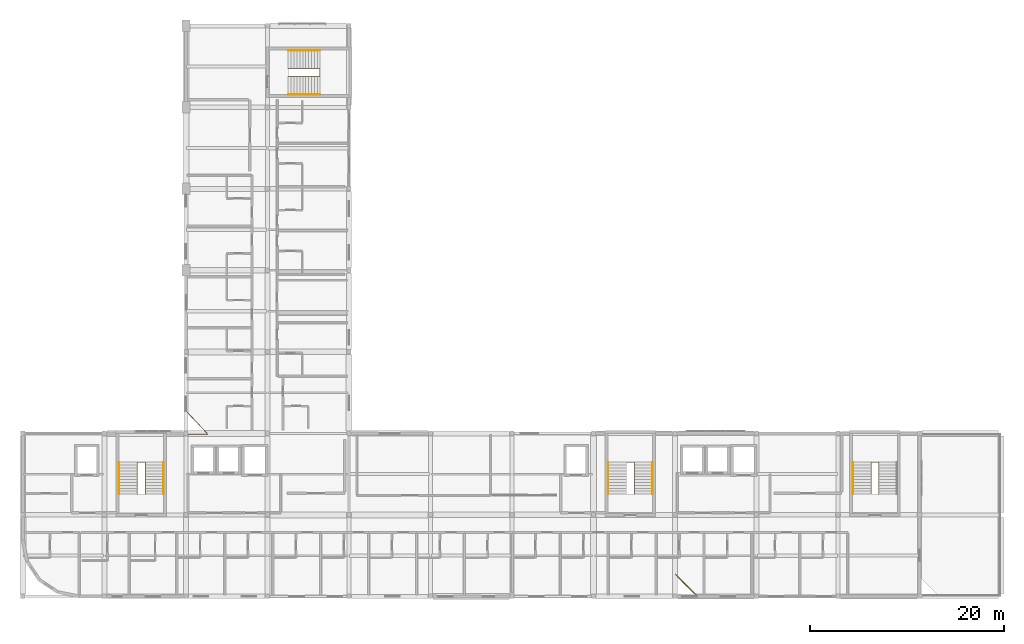
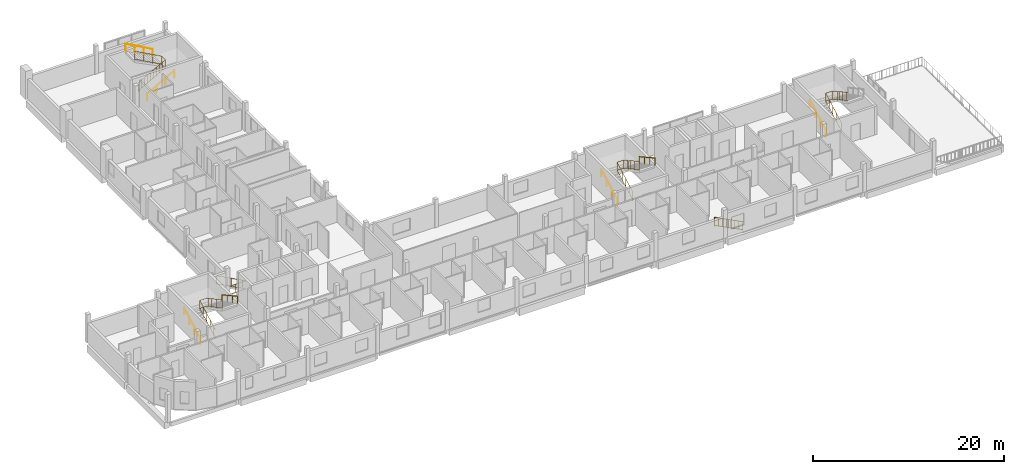
# One storey, part 18 of 19: 13 railings.
"""IFC4 building model written with IfcOpenShell, lengths in metres."""

import ifcopenshell
import ifcopenshell.guid

model = None  # the IFC model being written
_history = None  # IfcOwnerHistory: only IFC2X3 demands one
_inside = {}  # id of a spatial element -> (the spatial element, [elements in it])
_under = {}  # id of a project, library or spatial element -> (it, [spatial elements below it])
_declared = {}  # id of a project -> (the project, [libraries it declares])
_typed = {}  # id of a type object -> (the type object, [elements of that type])
_made_of = {}  # id of a material, layer set ... -> (it, [elements and type objects made of it])


def new_model(schema):
    """Start an empty IFC model of exactly this schema.

    Asked for "IFC4X3", IfcOpenShell would pick the latest addendum, in which some entities
    have other attributes; the version numbers below select the first issue.
    IFC2X3 requires an IfcOwnerHistory on every rooted entity: one is made here for all.
    """
    global model, _history
    if schema == "IFC4X3":
        model = ifcopenshell.file(schema_version=(4, 3, 0, 0))
    else:
        model = ifcopenshell.file(schema=schema)
    _inside.clear()
    _under.clear()
    _declared.clear()
    _typed.clear()
    _made_of.clear()
    _history = None
    if model.schema == "IFC2X3":
        org = make("IfcOrganization", Name="unknown")
        user = make(
            "IfcPersonAndOrganization",
            ThePerson=make("IfcPerson", FamilyName="unknown"),
            TheOrganization=org,
        )
        app = make(
            "IfcApplication",
            ApplicationDeveloper=org,
            Version="unknown",
            ApplicationFullName="unknown",
            ApplicationIdentifier="unknown",
        )
        _history = make(
            "IfcOwnerHistory",
            OwningUser=user,
            OwningApplication=app,
            ChangeAction="ADDED",
            CreationDate=0,
        )
    return model


def make(cls, **values):
    """One entity of the class cls with the attributes given. An attribute that is None is left unset."""
    return model.create_entity(
        cls, **{name: value for name, value in values.items() if value is not None}
    )


def rooted(cls, **values):
    """An entity with a GlobalId (a new one), such as an element, a storey or a relation."""
    return make(cls, GlobalId=ifcopenshell.guid.new(), OwnerHistory=_history, **values)


def si_unit(unit_type, name, prefix=None):
    """IfcSIUnit, for example si_unit("LENGTHUNIT", "METRE", prefix="MILLI")."""
    return make("IfcSIUnit", UnitType=unit_type, Prefix=prefix, Name=name)


def derived_unit(unit_type, elements):
    """IfcDerivedUnit: a product of units, each with its exponent."""
    return make(
        "IfcDerivedUnit",
        Elements=[
            make("IfcDerivedUnitElement", Unit=unit, Exponent=power)
            for unit, power in elements
        ],
        UnitType=unit_type,
    )


def assignment(units):
    """IfcUnitAssignment: the units of a project."""
    return None if units is None else make("IfcUnitAssignment", Units=units)


def point(xyz):
    """IfcCartesianPoint."""
    return None if xyz is None else make("IfcCartesianPoint", Coordinates=xyz)


def direction(xyz):
    """IfcDirection."""
    return None if xyz is None else make("IfcDirection", DirectionRatios=xyz)


def frame(location, z_axis=None, x_axis=None):
    """IfcAxis2Placement3D, a coordinate frame: its origin and axes. An axis left out is left unset."""
    return make(
        "IfcAxis2Placement3D",
        Location=point(location),
        Axis=direction(z_axis),
        RefDirection=direction(x_axis),
    )


def frame_2d(location, x_axis=None):
    """IfcAxis2Placement2D, a coordinate frame in the plane: its origin and x axis."""
    return make(
        "IfcAxis2Placement2D", Location=point(location), RefDirection=direction(x_axis)
    )


def origin():
    """The frame at (0, 0, 0) with its axes left unset."""
    return frame((0.0, 0.0, 0.0))


def origin_2d():
    """The frame at (0, 0) in the plane with its x axis left unset."""
    return frame_2d((0.0, 0.0))


def place(relative_to, where):
    """IfcLocalPlacement: puts the frame where relative to a parent placement (None: the world)."""
    return make(
        "IfcLocalPlacement", PlacementRelTo=relative_to, RelativePlacement=where
    )


def context(
    kind, dimensions, precision=None, world=None, true_north=None, identifier=None
):
    """IfcGeometricRepresentationContext, for example the 3D "Model" context."""
    return make(
        "IfcGeometricRepresentationContext",
        ContextIdentifier=identifier,
        ContextType=kind,
        CoordinateSpaceDimension=dimensions,
        Precision=precision,
        WorldCoordinateSystem=world,
        TrueNorth=true_north,
    )


def subcontext(parent, identifier, kind, view, scale=None):
    """IfcGeometricRepresentationSubContext, for example "Body" below "Model"."""
    return make(
        "IfcGeometricRepresentationSubContext",
        ContextIdentifier=identifier,
        ContextType=kind,
        ParentContext=parent,
        TargetScale=scale,
        TargetView=view,
    )


def project(units=None, contexts=None):
    """IfcProject with its units and contexts."""
    return rooted(
        "IfcProject",
        Name="project",
        RepresentationContexts=contexts,
        UnitsInContext=assignment(units),
    )


def spatial(cls, under=None, at=None, **own):
    """A site, building, storey or space (cls), placed at a placement, below another one or the project."""
    s = rooted(cls, ObjectPlacement=at, **own)
    if under is not None:
        _under.setdefault(under.id(), (under, []))[1].append(s)
    return s


def profile(cls, at=None, kind="AREA", **sizes):
    """A parametric profile (cls). Its sizes go by their IFC names, for example OverallWidth=200.0."""
    return make(cls, ProfileType=kind, Position=at, **sizes)


def circle(**sizes):
    """IfcCircleProfileDef."""
    return profile("IfcCircleProfileDef", **sizes)


def extrude(swept, where, along, depth):
    """IfcExtrudedAreaSolid: the profile swept, set in the frame where, extruded along a direction by depth."""
    return make(
        "IfcExtrudedAreaSolid",
        SweptArea=swept,
        Position=where,
        ExtrudedDirection=direction(along),
        Depth=depth,
    )


def shape(context_of_items, identifier, shape_type, items):
    """IfcShapeRepresentation: the items that make up one representation, for example the "Body"."""
    return make(
        "IfcShapeRepresentation",
        ContextOfItems=context_of_items,
        RepresentationIdentifier=identifier,
        RepresentationType=shape_type,
        Items=items,
    )


def material(Name=None, Category=None):
    """IfcMaterial."""
    return make("IfcMaterial", Name=Name, Category=Category)


def layer(
    of_material, thickness, ventilated=None, Name=None, Category=None, Priority=None
):
    """IfcMaterialLayer: one layer of a wall or slab, of a material (None: an air gap)."""
    return make(
        "IfcMaterialLayer",
        Material=of_material,
        LayerThickness=thickness,
        IsVentilated=ventilated,
        Name=Name,
        Category=Category,
        Priority=Priority,
    )


def layer_set(layers, Name=None):
    """IfcMaterialLayerSet."""
    return make("IfcMaterialLayerSet", MaterialLayers=layers, LayerSetName=Name)


def made_of(thing, what):
    """Note that an element or type object is made of a material, layer set ...; save() writes the relation."""
    if what is not None:
        _made_of.setdefault(what.id(), (what, []))[1].append(thing)
    return thing


def type_object(cls, material=None, **own):
    """A type object (cls), such as IfcWallType, which elements share."""
    return made_of(rooted(cls, **own), material)


def element(
    cls,
    number,
    at=None,
    inside=None,
    cuts=None,
    type_object=None,
    material=None,
    context=None,
    identifier="Body",
    shape_type=None,
    held_by="IfcProductDefinitionShape",
    body=None,
    shapes=None,
    **own,
):
    """One element of the class cls, such as IfcWall. Its Tag is "e" and its number.

    at: its placement. inside: the storey or other place that contains it. cuts: it is an
    opening in that element (IfcRelVoidsElement). A single representation is given by context,
    identifier, shape_type and body (its items); several are given by shapes. held_by: the class
    of the entity that holds the representations. save() writes the other relations.
    """
    e = rooted(cls, Tag="e%d" % number, ObjectPlacement=at, **own)
    if body is not None:
        shapes = [shape(context, identifier, shape_type, body)]
    if shapes is not None:
        e.Representation = make(held_by, Representations=shapes)
    if inside is not None:
        _inside.setdefault(inside.id(), (inside, []))[1].append(e)
    if cuts is not None:
        rooted(
            "IfcRelVoidsElement", RelatingBuildingElement=cuts, RelatedOpeningElement=e
        )
    if type_object is not None:
        _typed.setdefault(type_object.id(), (type_object, []))[1].append(e)
    return made_of(e, material)


def aggregate(whole, parts):
    """IfcRelAggregates: a whole, such as a stair, and the parts it consists of."""
    return rooted("IfcRelAggregates", RelatingObject=whole, RelatedObjects=parts)


def save(model, path):
    """Write the relations noted so far, then the file.

    IfcRelAggregates (storeys below a building ...), IfcRelContainedInSpatialStructure (elements
    in a storey), IfcRelDefinesByType, IfcRelAssociatesMaterial and IfcRelDeclares: one each for
    every whole, place, type object, material and project.
    """
    for whole, parts in _under.values():
        aggregate(whole, parts)
    for where, things in _inside.values():
        rooted(
            "IfcRelContainedInSpatialStructure",
            RelatedElements=things,
            RelatingStructure=where,
        )
    for kind, things in _typed.values():
        rooted("IfcRelDefinesByType", RelatedObjects=things, RelatingType=kind)
    for what, things in _made_of.values():
        rooted("IfcRelAssociatesMaterial", RelatedObjects=things, RelatingMaterial=what)
    for by, libraries in _declared.values():
        rooted("IfcRelDeclares", RelatingContext=by, RelatedDefinitions=libraries)
    model.write(path)


model = new_model("IFC4")

# Units and contexts
model_context = context("Model", 3, precision=1e-05, world=origin(), true_north=direction((0.0, 1.0)))
body_context = subcontext(model_context, "Body", "Model", "MODEL_VIEW")
ifc_project = project(units=[si_unit("LENGTHUNIT", "METRE"), si_unit("AREAUNIT", "SQUARE_METRE"), si_unit("VOLUMEUNIT", "CUBIC_METRE"), si_unit("PLANEANGLEUNIT", "RADIAN"), si_unit("MASSUNIT", "GRAM", prefix="KILO"), derived_unit("THERMALTRANSMITTANCEUNIT", [(si_unit("POWERUNIT", "WATT"), 1), (si_unit("LENGTHUNIT", "METRE"), -2), (si_unit("THERMODYNAMICTEMPERATUREUNIT", "KELVIN"), -1)])], contexts=[model_context])

# Site, building, storey
site_placement = place(None, origin())
site = spatial("IfcSite", under=ifc_project, at=site_placement, CompositionType="ELEMENT")
building_placement = place(site_placement, origin())
building = spatial("IfcBuilding", under=site, at=building_placement, Name="Barrovel Congress Hotel", CompositionType="ELEMENT")
storey_placement = place(building_placement, frame((0.0, 0.0, 43.5)))
storey = spatial("IfcBuildingStorey", under=building, at=storey_placement, Name="L11", CompositionType="ELEMENT", Elevation=43.5)

# Railings
ifc_material_1 = material(Name="Painted Architectural Steel", Category="steel")
ifc_layer_1 = layer(ifc_material_1, 0.070068359375)
ifc_layer_set_1 = layer_set([ifc_layer_1], Name="Painted Architectural Steel")
railing_type_1 = type_object("IfcRailingType", Name="RAIL-GUARD-INT", PredefinedType="BALUSTRADE", material=ifc_layer_set_1)
railing_1_placement = place(storey_placement, frame((28.60009765625, 14.739990234375, 0.0)))
element("IfcRailing", 1, at=railing_1_placement, inside=storey, type_object=railing_type_1, Name="STAIR:XS-01:L11:GR-W", PredefinedType="BALUSTRADE", context=body_context, shape_type="SweptSolid", body=[
    extrude(circle(Radius=0.02392578125, at=origin_2d()), frame((0.0, 0.0, 1.11572265625), z_axis=(0.0, 0.876041855244, 0.482235075311), x_axis=(-1.0, 0.0, 0.0)), (0.0, 0.0, 1.0), 3.732666015625),
    extrude(circle(Radius=0.02392578125, at=origin_2d()), frame((0.0, 0.0, 0.10009765625), z_axis=(0.0, 0.876041855244, 0.482235075311), x_axis=(-1.0, 0.0, 0.0)), (0.0, 0.0, 1.0), 3.732666015625),
    extrude(circle(Radius=0.010009765625, at=origin_2d()), frame((0.0, 0.36328125, 0.300048828125)), (0.0, 0.0, 1.0), 0.99169921875),
    extrude(circle(Radius=0.010009765625, at=origin_2d()), frame((0.0, 0.7265625, 0.5)), (0.0, 0.0, 1.0), 0.99169921875),
    extrude(circle(Radius=0.010009765625, at=origin_2d()), frame((0.0, 1.090087890625, 0.699951171875)), (0.0, 0.0, 1.0), 0.99169921875),
    extrude(circle(Radius=0.010009765625, at=origin_2d()), frame((0.0, 1.453369140625, 0.89990234375)), (0.0, 0.0, 1.0), 0.99169921875),
    extrude(circle(Radius=0.010009765625, at=origin_2d()), frame((0.0, 1.816650390625, 1.10009765625)), (0.0, 0.0, 1.0), 0.99169921875),
    extrude(circle(Radius=0.010009765625, at=origin_2d()), frame((0.0, 2.179931640625, 1.300048828125)), (0.0, 0.0, 1.0), 0.99169921875),
    extrude(circle(Radius=0.010009765625, at=origin_2d()), frame((0.0, 2.54345703125, 1.5)), (0.0, 0.0, 1.0), 0.99169921875),
    extrude(circle(Radius=0.010009765625, at=origin_2d()), frame((0.0, 2.90673828125, 1.699951171875)), (0.0, 0.0, 1.0), 0.99169921875),
    extrude(circle(Radius=0.02392578125, at=origin_2d()), frame((0.0, 3.27001953125, 2.916015625), z_axis=(1.0, 0.0, 0.0), x_axis=(0.0, 1.0, 0.0)), (0.0, 0.0, 1.0), 0.7998046875),
    extrude(circle(Radius=0.02392578125, at=origin_2d()), frame((0.0, 3.27001953125, 1.900146484375), z_axis=(1.0, 0.0, 0.0), x_axis=(0.0, 1.0, 0.0)), (0.0, 0.0, 1.0), 0.7998046875),
    extrude(circle(Radius=0.010009765625, at=origin_2d()), frame((0.39990234375, 3.27001953125, 1.900146484375)), (0.0, 0.0, 1.0), 0.99169921875),
    extrude(circle(Radius=0.02392578125, at=origin_2d()), frame((0.7998046875, 3.27001953125, 2.916015625), z_axis=(0.0, -0.876041855244, 0.482235075311), x_axis=(1.0, 0.0, 0.0)), (0.0, 0.0, 1.0), 3.732666015625),
    extrude(circle(Radius=0.02392578125, at=origin_2d()), frame((0.7998046875, 3.27001953125, 1.900146484375), z_axis=(0.0, -0.876041855244, 0.482235075311), x_axis=(1.0, 0.0, 0.0)), (0.0, 0.0, 1.0), 3.732666015625),
    extrude(circle(Radius=0.010009765625, at=origin_2d()), frame((0.7998046875, 2.90673828125, 2.10009765625)), (0.0, 0.0, 1.0), 0.99169921875),
    extrude(circle(Radius=0.010009765625, at=origin_2d()), frame((0.7998046875, 2.54345703125, 2.300048828125)), (0.0, 0.0, 1.0), 0.99169921875),
    extrude(circle(Radius=0.010009765625, at=origin_2d()), frame((0.7998046875, 2.179931640625, 2.5)), (0.0, 0.0, 1.0), 0.99169921875),
    extrude(circle(Radius=0.010009765625, at=origin_2d()), frame((0.7998046875, 1.816650390625, 2.699951171875)), (0.0, 0.0, 1.0), 0.99169921875),
    extrude(circle(Radius=0.010009765625, at=origin_2d()), frame((0.7998046875, 1.453369140625, 2.900146484375)), (0.0, 0.0, 1.0), 0.99169921875),
    extrude(circle(Radius=0.010009765625, at=origin_2d()), frame((0.7998046875, 1.090087890625, 3.10009765625)), (0.0, 0.0, 1.0), 0.99169921875),
    extrude(circle(Radius=0.010009765625, at=origin_2d()), frame((0.7998046875, 0.7265625, 3.300048828125)), (0.0, 0.0, 1.0), 0.99169921875),
    extrude(circle(Radius=0.010009765625, at=origin_2d()), frame((0.7998046875, 0.36328125, 3.5)), (0.0, 0.0, 1.0), 0.99169921875),
    extrude(circle(Radius=0.02099609375, at=origin_2d()), origin(), (0.0, 0.0, 1.0), 1.091796875),
    extrude(circle(Radius=0.02099609375, at=origin_2d()), frame((0.0, 1.090087890625, 0.60009765625)), (0.0, 0.0, 1.0), 1.091796875),
    extrude(circle(Radius=0.02099609375, at=origin_2d()), frame((0.0, 2.179931640625, 1.199951171875)), (0.0, 0.0, 1.0), 1.091796875),
    extrude(circle(Radius=0.02099609375, at=origin_2d()), frame((0.0, 3.27001953125, 1.800048828125)), (0.0, 0.0, 1.0), 1.091796875),
    extrude(circle(Radius=0.02099609375, at=origin_2d()), frame((0.7998046875, 3.27001953125, 1.800048828125)), (0.0, 0.0, 1.0), 1.091796875),
    extrude(circle(Radius=0.02099609375, at=origin_2d()), frame((0.7998046875, 2.179931640625, 2.400146484375)), (0.0, 0.0, 1.0), 1.091796875),
    extrude(circle(Radius=0.02099609375, at=origin_2d()), frame((0.7998046875, 1.090087890625, 3.0)), (0.0, 0.0, 1.0), 1.091796875),
    extrude(circle(Radius=0.02099609375, at=origin_2d()), frame((0.7998046875, 0.0, 3.60009765625)), (0.0, 0.0, 1.0), 1.091796875),
])
railing_2_placement = place(storey_placement, frame((79.0, 14.739990234375, 0.0)))
element("IfcRailing", 2, at=railing_2_placement, inside=storey, type_object=railing_type_1, Name="STAIR:XS-02:L11:GR-W", PredefinedType="BALUSTRADE", context=body_context, shape_type="SweptSolid", body=[
    extrude(circle(Radius=0.02392578125, at=origin_2d()), frame((0.0, 0.0, 1.11572265625), z_axis=(0.0, 0.876041855244, 0.482235075311), x_axis=(-1.0, 0.0, 0.0)), (0.0, 0.0, 1.0), 3.732666015625),
    extrude(circle(Radius=0.02392578125, at=origin_2d()), frame((0.0, 0.0, 0.10009765625), z_axis=(0.0, 0.876041855244, 0.482235075311), x_axis=(-1.0, 0.0, 0.0)), (0.0, 0.0, 1.0), 3.732666015625),
    extrude(circle(Radius=0.010009765625, at=origin_2d()), frame((0.0, 0.36328125, 0.300048828125)), (0.0, 0.0, 1.0), 0.99169921875),
    extrude(circle(Radius=0.010009765625, at=origin_2d()), frame((0.0, 0.7265625, 0.5)), (0.0, 0.0, 1.0), 0.99169921875),
    extrude(circle(Radius=0.010009765625, at=origin_2d()), frame((0.0, 1.090087890625, 0.699951171875)), (0.0, 0.0, 1.0), 0.99169921875),
    extrude(circle(Radius=0.010009765625, at=origin_2d()), frame((0.0, 1.453369140625, 0.89990234375)), (0.0, 0.0, 1.0), 0.99169921875),
    extrude(circle(Radius=0.010009765625, at=origin_2d()), frame((0.0, 1.816650390625, 1.10009765625)), (0.0, 0.0, 1.0), 0.99169921875),
    extrude(circle(Radius=0.010009765625, at=origin_2d()), frame((0.0, 2.179931640625, 1.300048828125)), (0.0, 0.0, 1.0), 0.99169921875),
    extrude(circle(Radius=0.010009765625, at=origin_2d()), frame((0.0, 2.54345703125, 1.5)), (0.0, 0.0, 1.0), 0.99169921875),
    extrude(circle(Radius=0.010009765625, at=origin_2d()), frame((0.0, 2.90673828125, 1.699951171875)), (0.0, 0.0, 1.0), 0.99169921875),
    extrude(circle(Radius=0.02392578125, at=origin_2d()), frame((0.0, 3.27001953125, 2.916015625), z_axis=(1.0, 0.0, 0.0), x_axis=(0.0, 1.0, 0.0)), (0.0, 0.0, 1.0), 0.800048828125),
    extrude(circle(Radius=0.02392578125, at=origin_2d()), frame((0.0, 3.27001953125, 1.900146484375), z_axis=(1.0, 0.0, 0.0), x_axis=(0.0, 1.0, 0.0)), (0.0, 0.0, 1.0), 0.800048828125),
    extrude(circle(Radius=0.010009765625, at=origin_2d()), frame((0.39990234375, 3.27001953125, 1.900146484375)), (0.0, 0.0, 1.0), 0.99169921875),
    extrude(circle(Radius=0.02392578125, at=origin_2d()), frame((0.800048828125, 3.27001953125, 2.916015625), z_axis=(0.0, -0.876041855244, 0.482235075311), x_axis=(1.0, 0.0, 0.0)), (0.0, 0.0, 1.0), 3.732666015625),
    extrude(circle(Radius=0.02392578125, at=origin_2d()), frame((0.800048828125, 3.27001953125, 1.900146484375), z_axis=(0.0, -0.876041855244, 0.482235075311), x_axis=(1.0, 0.0, 0.0)), (0.0, 0.0, 1.0), 3.732666015625),
    extrude(circle(Radius=0.010009765625, at=origin_2d()), frame((0.800048828125, 2.90673828125, 2.10009765625)), (0.0, 0.0, 1.0), 0.99169921875),
    extrude(circle(Radius=0.010009765625, at=origin_2d()), frame((0.800048828125, 2.54345703125, 2.300048828125)), (0.0, 0.0, 1.0), 0.99169921875),
    extrude(circle(Radius=0.010009765625, at=origin_2d()), frame((0.800048828125, 2.179931640625, 2.5)), (0.0, 0.0, 1.0), 0.99169921875),
    extrude(circle(Radius=0.010009765625, at=origin_2d()), frame((0.800048828125, 1.816650390625, 2.699951171875)), (0.0, 0.0, 1.0), 0.99169921875),
    extrude(circle(Radius=0.010009765625, at=origin_2d()), frame((0.800048828125, 1.453369140625, 2.900146484375)), (0.0, 0.0, 1.0), 0.99169921875),
    extrude(circle(Radius=0.010009765625, at=origin_2d()), frame((0.800048828125, 1.090087890625, 3.10009765625)), (0.0, 0.0, 1.0), 0.99169921875),
    extrude(circle(Radius=0.010009765625, at=origin_2d()), frame((0.800048828125, 0.7265625, 3.300048828125)), (0.0, 0.0, 1.0), 0.99169921875),
    extrude(circle(Radius=0.010009765625, at=origin_2d()), frame((0.800048828125, 0.36328125, 3.5)), (0.0, 0.0, 1.0), 0.99169921875),
    extrude(circle(Radius=0.02099609375, at=origin_2d()), origin(), (0.0, 0.0, 1.0), 1.091796875),
    extrude(circle(Radius=0.02099609375, at=origin_2d()), frame((0.0, 1.090087890625, 0.60009765625)), (0.0, 0.0, 1.0), 1.091796875),
    extrude(circle(Radius=0.02099609375, at=origin_2d()), frame((0.0, 2.179931640625, 1.199951171875)), (0.0, 0.0, 1.0), 1.091796875),
    extrude(circle(Radius=0.02099609375, at=origin_2d()), frame((0.0, 3.27001953125, 1.800048828125)), (0.0, 0.0, 1.0), 1.091796875),
    extrude(circle(Radius=0.02099609375, at=origin_2d()), frame((0.800048828125, 3.27001953125, 1.800048828125)), (0.0, 0.0, 1.0), 1.091796875),
    extrude(circle(Radius=0.02099609375, at=origin_2d()), frame((0.800048828125, 2.179931640625, 2.400146484375)), (0.0, 0.0, 1.0), 1.091796875),
    extrude(circle(Radius=0.02099609375, at=origin_2d()), frame((0.800048828125, 1.090087890625, 3.0)), (0.0, 0.0, 1.0), 1.091796875),
    extrude(circle(Radius=0.02099609375, at=origin_2d()), frame((0.800048828125, 0.0, 3.60009765625)), (0.0, 0.0, 1.0), 1.091796875),
])
railing_3_placement = place(storey_placement, frame((104.199951171875, 14.739990234375, 0.0)))
element("IfcRailing", 3, at=railing_3_placement, inside=storey, type_object=railing_type_1, Name="STAIR:XS-03:L11:GR-W", PredefinedType="BALUSTRADE", context=body_context, shape_type="SweptSolid", body=[
    extrude(circle(Radius=0.02392578125, at=origin_2d()), frame((0.0, 0.0, 1.11572265625), z_axis=(0.0, 0.876041855244, 0.482235075311), x_axis=(-1.0, 0.0, 0.0)), (0.0, 0.0, 1.0), 3.732666015625),
    extrude(circle(Radius=0.02392578125, at=origin_2d()), frame((0.0, 0.0, 0.10009765625), z_axis=(0.0, 0.876041855244, 0.482235075311), x_axis=(-1.0, 0.0, 0.0)), (0.0, 0.0, 1.0), 3.732666015625),
    extrude(circle(Radius=0.010009765625, at=origin_2d()), frame((0.0, 0.36328125, 0.300048828125)), (0.0, 0.0, 1.0), 0.99169921875),
    extrude(circle(Radius=0.010009765625, at=origin_2d()), frame((0.0, 0.7265625, 0.5)), (0.0, 0.0, 1.0), 0.99169921875),
    extrude(circle(Radius=0.010009765625, at=origin_2d()), frame((0.0, 1.090087890625, 0.699951171875)), (0.0, 0.0, 1.0), 0.99169921875),
    extrude(circle(Radius=0.010009765625, at=origin_2d()), frame((0.0, 1.453369140625, 0.89990234375)), (0.0, 0.0, 1.0), 0.99169921875),
    extrude(circle(Radius=0.010009765625, at=origin_2d()), frame((0.0, 1.816650390625, 1.10009765625)), (0.0, 0.0, 1.0), 0.99169921875),
    extrude(circle(Radius=0.010009765625, at=origin_2d()), frame((0.0, 2.179931640625, 1.300048828125)), (0.0, 0.0, 1.0), 0.99169921875),
    extrude(circle(Radius=0.010009765625, at=origin_2d()), frame((0.0, 2.54345703125, 1.5)), (0.0, 0.0, 1.0), 0.99169921875),
    extrude(circle(Radius=0.010009765625, at=origin_2d()), frame((0.0, 2.90673828125, 1.699951171875)), (0.0, 0.0, 1.0), 0.99169921875),
    extrude(circle(Radius=0.02392578125, at=origin_2d()), frame((0.0, 3.27001953125, 2.916015625), z_axis=(1.0, 0.0, 0.0), x_axis=(0.0, 1.0, 0.0)), (0.0, 0.0, 1.0), 0.800048828125),
    extrude(circle(Radius=0.02392578125, at=origin_2d()), frame((0.0, 3.27001953125, 1.900146484375), z_axis=(1.0, 0.0, 0.0), x_axis=(0.0, 1.0, 0.0)), (0.0, 0.0, 1.0), 0.800048828125),
    extrude(circle(Radius=0.010009765625, at=origin_2d()), frame((0.39990234375, 3.27001953125, 1.900146484375)), (0.0, 0.0, 1.0), 0.99169921875),
    extrude(circle(Radius=0.02392578125, at=origin_2d()), frame((0.800048828125, 3.27001953125, 2.916015625), z_axis=(0.0, -0.876041855244, 0.482235075311), x_axis=(1.0, 0.0, 0.0)), (0.0, 0.0, 1.0), 3.732666015625),
    extrude(circle(Radius=0.02392578125, at=origin_2d()), frame((0.800048828125, 3.27001953125, 1.900146484375), z_axis=(0.0, -0.876041855244, 0.482235075311), x_axis=(1.0, 0.0, 0.0)), (0.0, 0.0, 1.0), 3.732666015625),
    extrude(circle(Radius=0.010009765625, at=origin_2d()), frame((0.800048828125, 2.90673828125, 2.10009765625)), (0.0, 0.0, 1.0), 0.99169921875),
    extrude(circle(Radius=0.010009765625, at=origin_2d()), frame((0.800048828125, 2.54345703125, 2.300048828125)), (0.0, 0.0, 1.0), 0.99169921875),
    extrude(circle(Radius=0.010009765625, at=origin_2d()), frame((0.800048828125, 2.179931640625, 2.5)), (0.0, 0.0, 1.0), 0.99169921875),
    extrude(circle(Radius=0.010009765625, at=origin_2d()), frame((0.800048828125, 1.816650390625, 2.699951171875)), (0.0, 0.0, 1.0), 0.99169921875),
    extrude(circle(Radius=0.010009765625, at=origin_2d()), frame((0.800048828125, 1.453369140625, 2.900146484375)), (0.0, 0.0, 1.0), 0.99169921875),
    extrude(circle(Radius=0.010009765625, at=origin_2d()), frame((0.800048828125, 1.090087890625, 3.10009765625)), (0.0, 0.0, 1.0), 0.99169921875),
    extrude(circle(Radius=0.010009765625, at=origin_2d()), frame((0.800048828125, 0.7265625, 3.300048828125)), (0.0, 0.0, 1.0), 0.99169921875),
    extrude(circle(Radius=0.010009765625, at=origin_2d()), frame((0.800048828125, 0.36328125, 3.5)), (0.0, 0.0, 1.0), 0.99169921875),
    extrude(circle(Radius=0.02099609375, at=origin_2d()), origin(), (0.0, 0.0, 1.0), 1.091796875),
    extrude(circle(Radius=0.02099609375, at=origin_2d()), frame((0.0, 1.090087890625, 0.60009765625)), (0.0, 0.0, 1.0), 1.091796875),
    extrude(circle(Radius=0.02099609375, at=origin_2d()), frame((0.0, 2.179931640625, 1.199951171875)), (0.0, 0.0, 1.0), 1.091796875),
    extrude(circle(Radius=0.02099609375, at=origin_2d()), frame((0.0, 3.27001953125, 1.800048828125)), (0.0, 0.0, 1.0), 1.091796875),
    extrude(circle(Radius=0.02099609375, at=origin_2d()), frame((0.800048828125, 3.27001953125, 1.800048828125)), (0.0, 0.0, 1.0), 1.091796875),
    extrude(circle(Radius=0.02099609375, at=origin_2d()), frame((0.800048828125, 2.179931640625, 2.400146484375)), (0.0, 0.0, 1.0), 1.091796875),
    extrude(circle(Radius=0.02099609375, at=origin_2d()), frame((0.800048828125, 1.090087890625, 3.0)), (0.0, 0.0, 1.0), 1.091796875),
    extrude(circle(Radius=0.02099609375, at=origin_2d()), frame((0.800048828125, 0.0, 3.60009765625)), (0.0, 0.0, 1.0), 1.091796875),
])
railing_4_placement = place(storey_placement, frame((44.139892578125, 57.820068359375, 0.0)))
element("IfcRailing", 4, at=railing_4_placement, inside=storey, type_object=railing_type_1, Name="STAIR:XS-05:L11:GR-W", PredefinedType="BALUSTRADE", context=body_context, shape_type="SweptSolid", body=[
    extrude(circle(Radius=0.02392578125, at=origin_2d()), frame((0.0, 0.0, 1.11572265625), z_axis=(0.876041855244, 0.0, 0.482235075311), x_axis=(0.0, 1.0, 0.0)), (0.0, 0.0, 1.0), 3.732666015625),
    extrude(circle(Radius=0.02392578125, at=origin_2d()), frame((0.0, 0.0, 0.10009765625), z_axis=(0.876041855244, 0.0, 0.482235075311), x_axis=(0.0, 1.0, 0.0)), (0.0, 0.0, 1.0), 3.732666015625),
    extrude(circle(Radius=0.010009765625, at=origin_2d()), frame((0.36328125, 0.0, 0.300048828125)), (0.0, 0.0, 1.0), 0.99169921875),
    extrude(circle(Radius=0.010009765625, at=origin_2d()), frame((0.7265625, 0.0, 0.5)), (0.0, 0.0, 1.0), 0.99169921875),
    extrude(circle(Radius=0.010009765625, at=origin_2d()), frame((1.090087890625, 0.0, 0.699951171875)), (0.0, 0.0, 1.0), 0.99169921875),
    extrude(circle(Radius=0.010009765625, at=origin_2d()), frame((1.453369140625, 0.0, 0.89990234375)), (0.0, 0.0, 1.0), 0.99169921875),
    extrude(circle(Radius=0.010009765625, at=origin_2d()), frame((1.816650390625, 0.0, 1.10009765625)), (0.0, 0.0, 1.0), 0.99169921875),
    extrude(circle(Radius=0.010009765625, at=origin_2d()), frame((2.179931640625, 0.0, 1.300048828125)), (0.0, 0.0, 1.0), 0.99169921875),
    extrude(circle(Radius=0.010009765625, at=origin_2d()), frame((2.54345703125, 0.0, 1.5)), (0.0, 0.0, 1.0), 0.99169921875),
    extrude(circle(Radius=0.010009765625, at=origin_2d()), frame((2.90673828125, 0.0, 1.699951171875)), (0.0, 0.0, 1.0), 0.99169921875),
    extrude(circle(Radius=0.02392578125, at=origin_2d()), frame((3.27001953125, 0.0, 2.916015625), z_axis=(0.0, 1.0, 0.0), x_axis=(-1.0, 0.0, 0.0)), (0.0, 0.0, 1.0), 0.760009765625),
    extrude(circle(Radius=0.02392578125, at=origin_2d()), frame((3.27001953125, 0.0, 1.900146484375), z_axis=(0.0, 1.0, 0.0), x_axis=(-1.0, 0.0, 0.0)), (0.0, 0.0, 1.0), 0.760009765625),
    extrude(circle(Radius=0.010009765625, at=origin_2d()), frame((3.27001953125, 0.3798828125, 1.900146484375)), (0.0, 0.0, 1.0), 0.99169921875),
    extrude(circle(Radius=0.02392578125, at=origin_2d()), frame((3.27001953125, 0.760009765625, 2.916015625), z_axis=(-0.876041855244, 0.0, 0.482235075311), x_axis=(0.0, -1.0, 0.0)), (0.0, 0.0, 1.0), 3.732666015625),
    extrude(circle(Radius=0.02392578125, at=origin_2d()), frame((3.27001953125, 0.760009765625, 1.900146484375), z_axis=(-0.876041855244, 0.0, 0.482235075311), x_axis=(0.0, -1.0, 0.0)), (0.0, 0.0, 1.0), 3.732666015625),
    extrude(circle(Radius=0.010009765625, at=origin_2d()), frame((2.90673828125, 0.760009765625, 2.10009765625)), (0.0, 0.0, 1.0), 0.99169921875),
    extrude(circle(Radius=0.010009765625, at=origin_2d()), frame((2.54345703125, 0.760009765625, 2.300048828125)), (0.0, 0.0, 1.0), 0.99169921875),
    extrude(circle(Radius=0.010009765625, at=origin_2d()), frame((2.179931640625, 0.760009765625, 2.5)), (0.0, 0.0, 1.0), 0.99169921875),
    extrude(circle(Radius=0.010009765625, at=origin_2d()), frame((1.816650390625, 0.760009765625, 2.699951171875)), (0.0, 0.0, 1.0), 0.99169921875),
    extrude(circle(Radius=0.010009765625, at=origin_2d()), frame((1.453369140625, 0.760009765625, 2.900146484375)), (0.0, 0.0, 1.0), 0.99169921875),
    extrude(circle(Radius=0.010009765625, at=origin_2d()), frame((1.090087890625, 0.760009765625, 3.10009765625)), (0.0, 0.0, 1.0), 0.99169921875),
    extrude(circle(Radius=0.010009765625, at=origin_2d()), frame((0.7265625, 0.760009765625, 3.300048828125)), (0.0, 0.0, 1.0), 0.99169921875),
    extrude(circle(Radius=0.010009765625, at=origin_2d()), frame((0.36328125, 0.760009765625, 3.5)), (0.0, 0.0, 1.0), 0.99169921875),
    extrude(circle(Radius=0.02099609375, at=origin_2d()), origin(), (0.0, 0.0, 1.0), 1.091796875),
    extrude(circle(Radius=0.02099609375, at=origin_2d()), frame((1.090087890625, 0.0, 0.60009765625)), (0.0, 0.0, 1.0), 1.091796875),
    extrude(circle(Radius=0.02099609375, at=origin_2d()), frame((2.179931640625, 0.0, 1.199951171875)), (0.0, 0.0, 1.0), 1.091796875),
    extrude(circle(Radius=0.02099609375, at=origin_2d()), frame((3.27001953125, 0.0, 1.800048828125)), (0.0, 0.0, 1.0), 1.091796875),
    extrude(circle(Radius=0.02099609375, at=origin_2d()), frame((3.27001953125, 0.760009765625, 1.800048828125)), (0.0, 0.0, 1.0), 1.091796875),
    extrude(circle(Radius=0.02099609375, at=origin_2d()), frame((2.179931640625, 0.760009765625, 2.400146484375)), (0.0, 0.0, 1.0), 1.091796875),
    extrude(circle(Radius=0.02099609375, at=origin_2d()), frame((1.090087890625, 0.760009765625, 3.0)), (0.0, 0.0, 1.0), 1.091796875),
    extrude(circle(Radius=0.02099609375, at=origin_2d()), frame((0.0, 0.760009765625, 3.60009765625)), (0.0, 0.0, 1.0), 1.091796875),
])
railing_5_placement = place(storey_placement, frame((33.679931640625, 20.919921875, 0.0)))
element("IfcRailing", 5, at=railing_5_placement, inside=storey, type_object=railing_type_1, Name="RAIL:L11:CG-HW1", PredefinedType="BALUSTRADE", context=body_context, shape_type="SweptSolid", body=[
    extrude(circle(Radius=0.02392578125, at=origin_2d()), frame((0.0, 0.0, 1.11572265625), z_axis=(1.0, 0.0, 0.0), x_axis=(0.0, 1.0, 0.0)), (0.0, 0.0, 1.0), 2.170166015625),
    extrude(circle(Radius=0.02392578125, at=origin_2d()), frame((0.0, 0.0, 0.10009765625), z_axis=(1.0, 0.0, 0.0), x_axis=(0.0, 1.0, 0.0)), (0.0, 0.0, 1.0), 2.170166015625),
    extrude(circle(Radius=0.010009765625, at=origin_2d()), frame((0.43408203125, 0.0, 0.10009765625)), (0.0, 0.0, 1.0), 0.99169921875),
    extrude(circle(Radius=0.010009765625, at=origin_2d()), frame((0.8681640625, 0.0, 0.10009765625)), (0.0, 0.0, 1.0), 0.99169921875),
    extrude(circle(Radius=0.010009765625, at=origin_2d()), frame((1.302001953125, 0.0, 0.10009765625)), (0.0, 0.0, 1.0), 0.99169921875),
    extrude(circle(Radius=0.010009765625, at=origin_2d()), frame((1.736083984375, 0.0, 0.10009765625)), (0.0, 0.0, 1.0), 0.99169921875),
    extrude(circle(Radius=0.02392578125, at=origin_2d()), frame((2.170166015625, 0.0, 1.11572265625), z_axis=(-0.681550229161, 0.731771333909, 0.0), x_axis=(-0.731771333909, -0.681550229161, 0.0)), (0.0, 0.0, 1.0), 3.18408203125),
    extrude(circle(Radius=0.02392578125, at=origin_2d()), frame((2.170166015625, 0.0, 0.10009765625), z_axis=(-0.681550229161, 0.731771333909, 0.0), x_axis=(-0.731771333909, -0.681550229161, 0.0)), (0.0, 0.0, 1.0), 3.18408203125),
    extrude(circle(Radius=0.010009765625, at=origin_2d()), frame((1.89892578125, 0.291259765625, 0.10009765625)), (0.0, 0.0, 1.0), 0.99169921875),
    extrude(circle(Radius=0.010009765625, at=origin_2d()), frame((1.627685546875, 0.58251953125, 0.10009765625)), (0.0, 0.0, 1.0), 0.99169921875),
    extrude(circle(Radius=0.010009765625, at=origin_2d()), frame((1.3564453125, 0.873779296875, 0.10009765625)), (0.0, 0.0, 1.0), 0.99169921875),
    extrude(circle(Radius=0.010009765625, at=origin_2d()), frame((1.0849609375, 1.1650390625, 0.10009765625)), (0.0, 0.0, 1.0), 0.99169921875),
    extrude(circle(Radius=0.010009765625, at=origin_2d()), frame((0.813720703125, 1.456298828125, 0.10009765625)), (0.0, 0.0, 1.0), 0.99169921875),
    extrude(circle(Radius=0.010009765625, at=origin_2d()), frame((0.54248046875, 1.74755859375, 0.10009765625)), (0.0, 0.0, 1.0), 0.99169921875),
    extrude(circle(Radius=0.010009765625, at=origin_2d()), frame((0.271240234375, 2.038818359375, 0.10009765625)), (0.0, 0.0, 1.0), 0.99169921875),
    extrude(circle(Radius=0.02099609375, at=origin_2d()), origin(), (0.0, 0.0, 1.0), 1.091796875),
    extrude(circle(Radius=0.02099609375, at=origin_2d()), frame((1.0849609375, 0.0, 0.0)), (0.0, 0.0, 1.0), 1.091796875),
    extrude(circle(Radius=0.02099609375, at=origin_2d()), frame((2.170166015625, 0.0, 0.0)), (0.0, 0.0, 1.0), 1.091796875),
    extrude(circle(Radius=0.02099609375, at=origin_2d()), frame((1.0849609375, 1.1650390625, 0.0)), (0.0, 0.0, 1.0), 1.091796875),
    extrude(circle(Radius=0.02099609375, at=origin_2d()), frame((0.0, 2.330078125, 0.0)), (0.0, 0.0, 1.0), 1.091796875),
])
railing_6_placement = place(storey_placement, frame((86.25, 4.280029296875, 0.0)))
element("IfcRailing", 6, at=railing_6_placement, inside=storey, type_object=railing_type_1, Name="RAIL:L11:CG-HS2", PredefinedType="BALUSTRADE", context=body_context, shape_type="SweptSolid", body=[
    extrude(circle(Radius=0.02392578125, at=origin_2d()), frame((0.0, 0.0, 1.11572265625), z_axis=(-0.707106781187, 0.707106781187, 0.0), x_axis=(-0.707106781187, -0.707106781187, 0.0)), (0.0, 0.0, 1.0), 3.06884765625),
    extrude(circle(Radius=0.02392578125, at=origin_2d()), frame((0.0, 0.0, 0.10009765625), z_axis=(-0.707106781187, 0.707106781187, 0.0), x_axis=(-0.707106781187, -0.707106781187, 0.0)), (0.0, 0.0, 1.0), 3.06884765625),
    extrude(circle(Radius=0.010009765625, at=origin_2d()), frame((-0.31005859375, 0.31005859375, 0.10009765625)), (0.0, 0.0, 1.0), 0.99169921875),
    extrude(circle(Radius=0.010009765625, at=origin_2d()), frame((-0.619873046875, 0.619873046875, 0.10009765625)), (0.0, 0.0, 1.0), 0.99169921875),
    extrude(circle(Radius=0.010009765625, at=origin_2d()), frame((-0.929931640625, 0.929931640625, 0.10009765625)), (0.0, 0.0, 1.0), 0.99169921875),
    extrude(circle(Radius=0.010009765625, at=origin_2d()), frame((-1.239990234375, 1.239990234375, 0.10009765625)), (0.0, 0.0, 1.0), 0.99169921875),
    extrude(circle(Radius=0.010009765625, at=origin_2d()), frame((-1.550048828125, 1.550048828125, 0.10009765625)), (0.0, 0.0, 1.0), 0.99169921875),
    extrude(circle(Radius=0.010009765625, at=origin_2d()), frame((-1.85986328125, 1.85986328125, 0.10009765625)), (0.0, 0.0, 1.0), 0.99169921875),
    extrude(circle(Radius=0.02099609375, at=origin_2d()), origin(), (0.0, 0.0, 1.0), 1.091796875),
    extrude(circle(Radius=0.02099609375, at=origin_2d()), frame((-1.0849609375, 1.0849609375, 0.0)), (0.0, 0.0, 1.0), 1.091796875),
    extrude(circle(Radius=0.02099609375, at=origin_2d()), frame((-2.169921875, 2.169921875, 0.0)), (0.0, 0.0, 1.0), 1.091796875),
])
ifc_material_2 = material(Name="Brushed Stainless Steel", Category="steel")
ifc_layer_2 = layer(ifc_material_2, 0.050048828125)
ifc_layer_set_2 = layer_set([ifc_layer_2], Name="Brushed Stainless Steel")
railing_type_2 = type_object("IfcRailingType", Name="RAIL-HAND", PredefinedType="HANDRAIL", material=ifc_layer_set_2)
railing_7_placement = place(storey_placement, frame((26.719970703125, 14.739990234375, 0.0)))
element("IfcRailing", 7, at=railing_7_placement, inside=storey, type_object=railing_type_2, Name="STAIR:XS-01:L11:HR-1", PredefinedType="HANDRAIL", context=body_context, shape_type="SweptSolid", body=[
    extrude(circle(Radius=0.02392578125, at=origin_2d()), frame((0.0, 0.0, 0.89599609375), z_axis=(0.0, 0.876041855244, 0.482235075311), x_axis=(-1.0, 0.0, 0.0)), (0.0, 0.0, 1.0), 3.732666015625),
    extrude(circle(Radius=0.02099609375, at=origin_2d()), origin(), (0.0, 0.0, 1.0), 0.871826171875),
    extrude(circle(Radius=0.02099609375, at=origin_2d()), frame((0.0, 1.090087890625, 0.60009765625)), (0.0, 0.0, 1.0), 0.871826171875),
    extrude(circle(Radius=0.02099609375, at=origin_2d()), frame((0.0, 2.179931640625, 1.199951171875)), (0.0, 0.0, 1.0), 0.871826171875),
    extrude(circle(Radius=0.02099609375, at=origin_2d()), frame((0.0, 3.27001953125, 1.800048828125)), (0.0, 0.0, 1.0), 0.871826171875),
])
railing_8_placement = place(storey_placement, frame((31.280029296875, 18.010009765625, 1.800048828125)))
element("IfcRailing", 8, at=railing_8_placement, inside=storey, type_object=railing_type_2, Name="STAIR:XS-01:L11:HR-2", PredefinedType="HANDRAIL", context=body_context, shape_type="SweptSolid", body=[
    extrude(circle(Radius=0.02392578125, at=origin_2d()), frame((0.0, 0.0, 0.89599609375), z_axis=(0.0, -0.876041855244, 0.482235075311), x_axis=(1.0, 0.0, 0.0)), (0.0, 0.0, 1.0), 3.732666015625),
    extrude(circle(Radius=0.02099609375, at=origin_2d()), origin(), (0.0, 0.0, 1.0), 0.871826171875),
    extrude(circle(Radius=0.02099609375, at=origin_2d()), frame((0.0, -1.090087890625, 0.60009765625)), (0.0, 0.0, 1.0), 0.871826171875),
    extrude(circle(Radius=0.02099609375, at=origin_2d()), frame((0.0, -2.179931640625, 1.199951171875)), (0.0, 0.0, 1.0), 0.871826171875),
    extrude(circle(Radius=0.02099609375, at=origin_2d()), frame((0.0, -3.27001953125, 1.800048828125)), (0.0, 0.0, 1.0), 0.871826171875),
])
railing_9_placement = place(storey_placement, frame((77.1201171875, 14.739990234375, 0.0)))
element("IfcRailing", 9, at=railing_9_placement, inside=storey, type_object=railing_type_2, Name="STAIR:XS-02:L11:HR-1", PredefinedType="HANDRAIL", context=body_context, shape_type="SweptSolid", body=[
    extrude(circle(Radius=0.02392578125, at=origin_2d()), frame((0.0, 0.0, 0.89599609375), z_axis=(0.0, 0.876041855244, 0.482235075311), x_axis=(-1.0, 0.0, 0.0)), (0.0, 0.0, 1.0), 3.732666015625),
    extrude(circle(Radius=0.02099609375, at=origin_2d()), origin(), (0.0, 0.0, 1.0), 0.871826171875),
    extrude(circle(Radius=0.02099609375, at=origin_2d()), frame((0.0, 1.090087890625, 0.60009765625)), (0.0, 0.0, 1.0), 0.871826171875),
    extrude(circle(Radius=0.02099609375, at=origin_2d()), frame((0.0, 2.179931640625, 1.199951171875)), (0.0, 0.0, 1.0), 0.871826171875),
    extrude(circle(Radius=0.02099609375, at=origin_2d()), frame((0.0, 3.27001953125, 1.800048828125)), (0.0, 0.0, 1.0), 0.871826171875),
])
railing_10_placement = place(storey_placement, frame((81.679931640625, 18.010009765625, 1.800048828125)))
element("IfcRailing", 10, at=railing_10_placement, inside=storey, type_object=railing_type_2, Name="STAIR:XS-02:L11:HR-2", PredefinedType="HANDRAIL", context=body_context, shape_type="SweptSolid", body=[
    extrude(circle(Radius=0.02392578125, at=origin_2d()), frame((0.0, 0.0, 0.89599609375), z_axis=(0.0, -0.876041855244, 0.482235075311), x_axis=(1.0, 0.0, 0.0)), (0.0, 0.0, 1.0), 3.732666015625),
    extrude(circle(Radius=0.02099609375, at=origin_2d()), origin(), (0.0, 0.0, 1.0), 0.871826171875),
    extrude(circle(Radius=0.02099609375, at=origin_2d()), frame((0.0, -1.090087890625, 0.60009765625)), (0.0, 0.0, 1.0), 0.871826171875),
    extrude(circle(Radius=0.02099609375, at=origin_2d()), frame((0.0, -2.179931640625, 1.199951171875)), (0.0, 0.0, 1.0), 0.871826171875),
    extrude(circle(Radius=0.02099609375, at=origin_2d()), frame((0.0, -3.27001953125, 1.800048828125)), (0.0, 0.0, 1.0), 0.871826171875),
])
railing_11_placement = place(storey_placement, frame((102.320068359375, 14.739990234375, 0.0)))
element("IfcRailing", 11, at=railing_11_placement, inside=storey, type_object=railing_type_2, Name="STAIR:XS-03:L11:HR-1", PredefinedType="HANDRAIL", context=body_context, shape_type="SweptSolid", body=[
    extrude(circle(Radius=0.02392578125, at=origin_2d()), frame((0.0, 0.0, 0.89599609375), z_axis=(0.0, 0.876041855244, 0.482235075311), x_axis=(-1.0, 0.0, 0.0)), (0.0, 0.0, 1.0), 3.732666015625),
    extrude(circle(Radius=0.02099609375, at=origin_2d()), origin(), (0.0, 0.0, 1.0), 0.871826171875),
    extrude(circle(Radius=0.02099609375, at=origin_2d()), frame((0.0, 1.090087890625, 0.60009765625)), (0.0, 0.0, 1.0), 0.871826171875),
    extrude(circle(Radius=0.02099609375, at=origin_2d()), frame((0.0, 2.179931640625, 1.199951171875)), (0.0, 0.0, 1.0), 0.871826171875),
    extrude(circle(Radius=0.02099609375, at=origin_2d()), frame((0.0, 3.27001953125, 1.800048828125)), (0.0, 0.0, 1.0), 0.871826171875),
])
railing_12_placement = place(storey_placement, frame((44.139892578125, 55.919921875, 0.0)))
element("IfcRailing", 12, at=railing_12_placement, inside=storey, type_object=railing_type_2, Name="STAIR:XS-05:L11:HR-1", PredefinedType="HANDRAIL", context=body_context, shape_type="SweptSolid", body=[
    extrude(circle(Radius=0.02392578125, at=origin_2d()), frame((0.0, 0.0, 0.89599609375), z_axis=(0.876041855244, 0.0, 0.482235075311), x_axis=(0.0, 1.0, 0.0)), (0.0, 0.0, 1.0), 3.732666015625),
    extrude(circle(Radius=0.02099609375, at=origin_2d()), origin(), (0.0, 0.0, 1.0), 0.871826171875),
    extrude(circle(Radius=0.02099609375, at=origin_2d()), frame((1.090087890625, 0.0, 0.60009765625)), (0.0, 0.0, 1.0), 0.871826171875),
    extrude(circle(Radius=0.02099609375, at=origin_2d()), frame((2.179931640625, 0.0, 1.199951171875)), (0.0, 0.0, 1.0), 0.871826171875),
    extrude(circle(Radius=0.02099609375, at=origin_2d()), frame((3.27001953125, 0.0, 1.800048828125)), (0.0, 0.0, 1.0), 0.871826171875),
])
railing_13_placement = place(storey_placement, frame((47.409912109375, 60.47998046875, 1.800048828125)))
element("IfcRailing", 13, at=railing_13_placement, inside=storey, type_object=railing_type_2, Name="STAIR:XS-05:L11:HR-2", PredefinedType="HANDRAIL", context=body_context, shape_type="SweptSolid", body=[
    extrude(circle(Radius=0.02392578125, at=origin_2d()), frame((0.0, 0.0, 0.89599609375), z_axis=(-0.876041855244, 0.0, 0.482235075311), x_axis=(0.0, -1.0, 0.0)), (0.0, 0.0, 1.0), 3.732666015625),
    extrude(circle(Radius=0.02099609375, at=origin_2d()), origin(), (0.0, 0.0, 1.0), 0.871826171875),
    extrude(circle(Radius=0.02099609375, at=origin_2d()), frame((-1.090087890625, 0.0, 0.60009765625)), (0.0, 0.0, 1.0), 0.871826171875),
    extrude(circle(Radius=0.02099609375, at=origin_2d()), frame((-2.179931640625, 0.0, 1.199951171875)), (0.0, 0.0, 1.0), 0.871826171875),
    extrude(circle(Radius=0.02099609375, at=origin_2d()), frame((-3.27001953125, 0.0, 1.800048828125)), (0.0, 0.0, 1.0), 0.871826171875),
])

save(model, "model.ifc")
